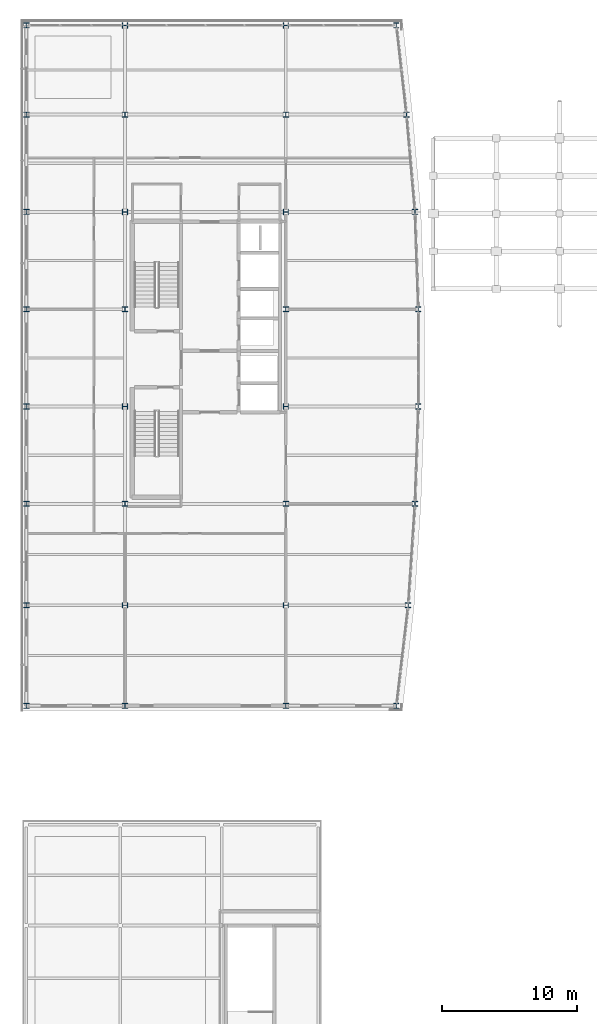
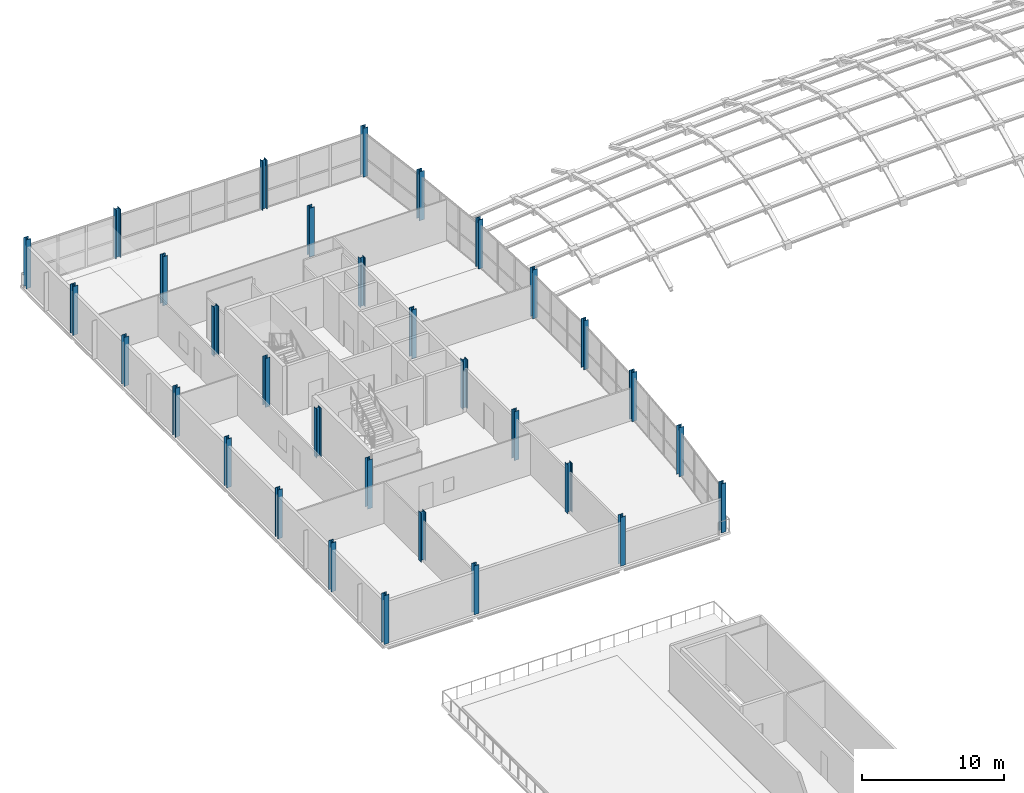
# One storey, part 1 of 36: 32 columns.
"""IFC4 building model written with IfcOpenShell, lengths in metres."""

import ifcopenshell
import ifcopenshell.guid

model = None  # the IFC model being written
_history = None  # IfcOwnerHistory: only IFC2X3 demands one
_inside = {}  # id of a spatial element -> (the spatial element, [elements in it])
_under = {}  # id of a project, library or spatial element -> (it, [spatial elements below it])
_declared = {}  # id of a project -> (the project, [libraries it declares])
_typed = {}  # id of a type object -> (the type object, [elements of that type])
_made_of = {}  # id of a material, layer set ... -> (it, [elements and type objects made of it])


def new_model(schema):
    """Start an empty IFC model of exactly this schema.

    Asked for "IFC4X3", IfcOpenShell would pick the latest addendum, in which some entities
    have other attributes; the version numbers below select the first issue.
    IFC2X3 requires an IfcOwnerHistory on every rooted entity: one is made here for all.
    """
    global model, _history
    if schema == "IFC4X3":
        model = ifcopenshell.file(schema_version=(4, 3, 0, 0))
    else:
        model = ifcopenshell.file(schema=schema)
    _inside.clear()
    _under.clear()
    _declared.clear()
    _typed.clear()
    _made_of.clear()
    _history = None
    if model.schema == "IFC2X3":
        org = make("IfcOrganization", Name="unknown")
        user = make(
            "IfcPersonAndOrganization",
            ThePerson=make("IfcPerson", FamilyName="unknown"),
            TheOrganization=org,
        )
        app = make(
            "IfcApplication",
            ApplicationDeveloper=org,
            Version="unknown",
            ApplicationFullName="unknown",
            ApplicationIdentifier="unknown",
        )
        _history = make(
            "IfcOwnerHistory",
            OwningUser=user,
            OwningApplication=app,
            ChangeAction="ADDED",
            CreationDate=0,
        )
    return model


def make(cls, **values):
    """One entity of the class cls with the attributes given. An attribute that is None is left unset."""
    return model.create_entity(
        cls, **{name: value for name, value in values.items() if value is not None}
    )


def rooted(cls, **values):
    """An entity with a GlobalId (a new one), such as an element, a storey or a relation."""
    return make(cls, GlobalId=ifcopenshell.guid.new(), OwnerHistory=_history, **values)


def si_unit(unit_type, name, prefix=None):
    """IfcSIUnit, for example si_unit("LENGTHUNIT", "METRE", prefix="MILLI")."""
    return make("IfcSIUnit", UnitType=unit_type, Prefix=prefix, Name=name)


def assignment(units):
    """IfcUnitAssignment: the units of a project."""
    return None if units is None else make("IfcUnitAssignment", Units=units)


def point(xyz):
    """IfcCartesianPoint."""
    return None if xyz is None else make("IfcCartesianPoint", Coordinates=xyz)


def direction(xyz):
    """IfcDirection."""
    return None if xyz is None else make("IfcDirection", DirectionRatios=xyz)


def frame(location, z_axis=None, x_axis=None):
    """IfcAxis2Placement3D, a coordinate frame: its origin and axes. An axis left out is left unset."""
    return make(
        "IfcAxis2Placement3D",
        Location=point(location),
        Axis=direction(z_axis),
        RefDirection=direction(x_axis),
    )


def frame_2d(location, x_axis=None):
    """IfcAxis2Placement2D, a coordinate frame in the plane: its origin and x axis."""
    return make(
        "IfcAxis2Placement2D", Location=point(location), RefDirection=direction(x_axis)
    )


def origin():
    """The frame at (0, 0, 0) with its axes left unset."""
    return frame((0.0, 0.0, 0.0))


def origin_2d():
    """The frame at (0, 0) in the plane with its x axis left unset."""
    return frame_2d((0.0, 0.0))


def place(relative_to, where):
    """IfcLocalPlacement: puts the frame where relative to a parent placement (None: the world)."""
    return make(
        "IfcLocalPlacement", PlacementRelTo=relative_to, RelativePlacement=where
    )


def context(
    kind, dimensions, precision=None, world=None, true_north=None, identifier=None
):
    """IfcGeometricRepresentationContext, for example the 3D "Model" context."""
    return make(
        "IfcGeometricRepresentationContext",
        ContextIdentifier=identifier,
        ContextType=kind,
        CoordinateSpaceDimension=dimensions,
        Precision=precision,
        WorldCoordinateSystem=world,
        TrueNorth=true_north,
    )


def subcontext(parent, identifier, kind, view, scale=None):
    """IfcGeometricRepresentationSubContext, for example "Body" below "Model"."""
    return make(
        "IfcGeometricRepresentationSubContext",
        ContextIdentifier=identifier,
        ContextType=kind,
        ParentContext=parent,
        TargetScale=scale,
        TargetView=view,
    )


def project(units=None, contexts=None):
    """IfcProject with its units and contexts."""
    return rooted(
        "IfcProject",
        Name="project",
        RepresentationContexts=contexts,
        UnitsInContext=assignment(units),
    )


def spatial(cls, under=None, at=None, **own):
    """A site, building, storey or space (cls), placed at a placement, below another one or the project."""
    s = rooted(cls, ObjectPlacement=at, **own)
    if under is not None:
        _under.setdefault(under.id(), (under, []))[1].append(s)
    return s


def profile(cls, at=None, kind="AREA", **sizes):
    """A parametric profile (cls). Its sizes go by their IFC names, for example OverallWidth=200.0."""
    return make(cls, ProfileType=kind, Position=at, **sizes)


def i_section(**sizes):
    """IfcIShapeProfileDef."""
    return profile("IfcIShapeProfileDef", **sizes)


def extrude(swept, where, along, depth):
    """IfcExtrudedAreaSolid: the profile swept, set in the frame where, extruded along a direction by depth."""
    return make(
        "IfcExtrudedAreaSolid",
        SweptArea=swept,
        Position=where,
        ExtrudedDirection=direction(along),
        Depth=depth,
    )


def shape(context_of_items, identifier, shape_type, items):
    """IfcShapeRepresentation: the items that make up one representation, for example the "Body"."""
    return make(
        "IfcShapeRepresentation",
        ContextOfItems=context_of_items,
        RepresentationIdentifier=identifier,
        RepresentationType=shape_type,
        Items=items,
    )


def material(Name=None, Category=None):
    """IfcMaterial."""
    return make("IfcMaterial", Name=Name, Category=Category)


def material_profile(
    of_material, cross_section, Name=None, Category=None, Priority=None
):
    """IfcMaterialProfile: a cross section and its material."""
    return make(
        "IfcMaterialProfile",
        Name=Name,
        Material=of_material,
        Profile=cross_section,
        Priority=Priority,
        Category=Category,
    )


def profile_set(profiles, Name=None, composite=None):
    """IfcMaterialProfileSet."""
    return make(
        "IfcMaterialProfileSet",
        Name=Name,
        MaterialProfiles=profiles,
        CompositeProfile=composite,
    )


def made_of(thing, what):
    """Note that an element or type object is made of a material, layer set ...; save() writes the relation."""
    if what is not None:
        _made_of.setdefault(what.id(), (what, []))[1].append(thing)
    return thing


def type_object(cls, material=None, **own):
    """A type object (cls), such as IfcWallType, which elements share."""
    return made_of(rooted(cls, **own), material)


def element(
    cls,
    number,
    at=None,
    inside=None,
    cuts=None,
    type_object=None,
    material=None,
    context=None,
    identifier="Body",
    shape_type=None,
    held_by="IfcProductDefinitionShape",
    body=None,
    shapes=None,
    **own,
):
    """One element of the class cls, such as IfcWall. Its Tag is "e" and its number.

    at: its placement. inside: the storey or other place that contains it. cuts: it is an
    opening in that element (IfcRelVoidsElement). A single representation is given by context,
    identifier, shape_type and body (its items); several are given by shapes. held_by: the class
    of the entity that holds the representations. save() writes the other relations.
    """
    e = rooted(cls, Tag="e%d" % number, ObjectPlacement=at, **own)
    if body is not None:
        shapes = [shape(context, identifier, shape_type, body)]
    if shapes is not None:
        e.Representation = make(held_by, Representations=shapes)
    if inside is not None:
        _inside.setdefault(inside.id(), (inside, []))[1].append(e)
    if cuts is not None:
        rooted(
            "IfcRelVoidsElement", RelatingBuildingElement=cuts, RelatedOpeningElement=e
        )
    if type_object is not None:
        _typed.setdefault(type_object.id(), (type_object, []))[1].append(e)
    return made_of(e, material)


def aggregate(whole, parts):
    """IfcRelAggregates: a whole, such as a stair, and the parts it consists of."""
    return rooted("IfcRelAggregates", RelatingObject=whole, RelatedObjects=parts)


def save(model, path):
    """Write the relations noted so far, then the file.

    IfcRelAggregates (storeys below a building ...), IfcRelContainedInSpatialStructure (elements
    in a storey), IfcRelDefinesByType, IfcRelAssociatesMaterial and IfcRelDeclares: one each for
    every whole, place, type object, material and project.
    """
    for whole, parts in _under.values():
        aggregate(whole, parts)
    for where, things in _inside.values():
        rooted(
            "IfcRelContainedInSpatialStructure",
            RelatedElements=things,
            RelatingStructure=where,
        )
    for kind, things in _typed.values():
        rooted("IfcRelDefinesByType", RelatedObjects=things, RelatingType=kind)
    for what, things in _made_of.values():
        rooted("IfcRelAssociatesMaterial", RelatedObjects=things, RelatingMaterial=what)
    for by, libraries in _declared.values():
        rooted("IfcRelDeclares", RelatingContext=by, RelatedDefinitions=libraries)
    model.write(path)


model = new_model("IFC4")

# Units and contexts
model_context = context("Model", 3, precision=1e-05, world=origin(), true_north=direction((0.0, 1.0)))
body_context = subcontext(model_context, "Body", "Model", "MODEL_VIEW")
ifc_project = project(units=[si_unit("LENGTHUNIT", "METRE"), si_unit("AREAUNIT", "SQUARE_METRE"), si_unit("VOLUMEUNIT", "CUBIC_METRE"), si_unit("PLANEANGLEUNIT", "RADIAN"), si_unit("MASSUNIT", "GRAM", prefix="KILO")], contexts=[model_context])

# Site, building, storey
site_placement = place(None, origin())
site = spatial("IfcSite", under=ifc_project, at=site_placement, CompositionType="ELEMENT")
building_placement = place(site_placement, origin())
building = spatial("IfcBuilding", under=site, at=building_placement, Name="Quillay Park Conservatory", CompositionType="ELEMENT")
storey_placement = place(building_placement, frame((0.0, 0.0, 18.300048828125)))
storey = spatial("IfcBuildingStorey", under=building, at=storey_placement, Name="L04", CompositionType="ELEMENT", Elevation=18.300048828125)

# Columns
ifc_material = material(Name="Steel ASTM A992 Grade 50", Category="steel")
ifc_material_profile = material_profile(ifc_material, i_section(OverallWidth=0.39501953125, OverallDepth=0.3798828125, WebThickness=0.018798828125, FlangeThickness=0.0302734375, FilletRadius=0.014892578125, at=origin_2d()), Name="W360x237")
ifc_profile_set = profile_set([ifc_material_profile], Name="Steel ASTM A992 Grade 50")
column_type = type_object("IfcColumnType", Name="COMPOSITE STEEL COLUMN W360 X237", PredefinedType="COLUMN", material=ifc_profile_set)
for number, where, z_axis, x_axis, name in (
    (1, (0.550048828125, 63.050048828125, 0.0), (0.0, 0.0, 1.0), (1.0, 0.0, 0.0), "L04 column COL-V4-L04-0-0"),
    (2, (7.85009765625, 63.050048828125, 0.0), (0.0, 0.0, 1.0), (1.0, 0.0, 0.0), "L04 column COL-V4-L04-0-1"),
    (3, (19.75, 63.050048828125, 0.0), (0.0, 0.0, 1.0), (1.0, 0.0, 0.0), "L04 column COL-V4-L04-0-2"),
    (4, (27.925048828125, 63.050048828125, 0.0), (0.0, 0.0, 1.0), (1.0, 0.0, 0.0), "L04 column COL-V4-L04-0-3"),
    (5, (0.550048828125, 70.5, 0.0), (0.0, 0.0, 1.0), (1.0, 0.0, 0.0), "L04 column COL-V4-L04-1-0"),
    (6, (7.85009765625, 70.5, 0.0), (0.0, 0.0, 1.0), (0.0, 1.0, 0.0), "L04 column COL-V4-L04-1-1"),
    (7, (19.75, 70.5, 0.0), (0.0, 0.0, 1.0), (0.0, 1.0, 0.0), "L04 column COL-V4-L04-1-2"),
    (8, (28.800048828125, 70.5, 0.0), (0.0, 0.0, 1.0), (1.0, 0.0, 0.0), "L04 column COL-V4-L04-1-3"),
    (9, (0.550048828125, 78.0, 0.0), (0.0, 0.0, 1.0), (1.0, 0.0, 0.0), "L04 column COL-V4-L04-2-0"),
    (10, (7.85009765625, 78.0, 0.0), (0.0, 0.0, 1.0), (1.0, 0.0, 0.0), "L04 column COL-V4-L04-2-1"),
    (11, (19.75, 78.0, 0.0), (0.0, 0.0, 1.0), (1.0, 0.0, 0.0), "L04 column COL-V4-L04-2-2"),
    (12, (29.300048828125, 78.0, 0.0), (0.0, 0.0, 1.0), (1.0, 0.0, 0.0), "L04 column COL-V4-L04-2-3"),
    (13, (0.550048828125, 85.199951171875, 0.0), (0.0, 0.0, 1.0), (1.0, 0.0, 0.0), "L04 column COL-V4-L04-3-0"),
    (14, (7.85009765625, 85.199951171875, 0.0), (0.0, 0.0, 1.0), (0.0, 1.0, 0.0), "L04 column COL-V4-L04-3-1"),
    (15, (19.75, 85.199951171875, 0.0), (0.0, 0.0, 1.0), (0.0, 1.0, 0.0), "L04 column COL-V4-L04-3-2"),
    (16, (29.550048828125, 85.199951171875, 0.0), (0.0, 0.0, 1.0), (1.0, 0.0, 0.0), "L04 column COL-V4-L04-3-3"),
    (17, (0.550048828125, 92.39990234375, 0.0), (0.0, 0.0, 1.0), (1.0, 0.0, 0.0), "L04 column COL-V4-L04-4-0"),
    (18, (7.85009765625, 92.39990234375, 0.0), (0.0, 0.0, 1.0), (1.0, 0.0, 0.0), "L04 column COL-V4-L04-4-1"),
    (19, (19.75, 92.39990234375, 0.0), (0.0, 0.0, 1.0), (1.0, 0.0, 0.0), "L04 column COL-V4-L04-4-2"),
    (20, (29.550048828125, 92.39990234375, 0.0), (0.0, 0.0, 1.0), (1.0, 0.0, 0.0), "L04 column COL-V4-L04-4-3"),
    (21, (0.550048828125, 99.60009765625, 0.0), (0.0, 0.0, 1.0), (1.0, 0.0, 0.0), "L04 column COL-V4-L04-5-0"),
    (22, (7.85009765625, 99.60009765625, 0.0), (0.0, 0.0, 1.0), (0.0, 1.0, 0.0), "L04 column COL-V4-L04-5-1"),
    (23, (19.75, 99.60009765625, 0.0), (0.0, 0.0, 1.0), (0.0, 1.0, 0.0), "L04 column COL-V4-L04-5-2"),
    (24, (29.300048828125, 99.60009765625, 0.0), (0.0, 0.0, 1.0), (1.0, 0.0, 0.0), "L04 column COL-V4-L04-5-3"),
    (25, (0.550048828125, 106.800048828125, 0.0), (0.0, 0.0, 1.0), (1.0, 0.0, 0.0), "L04 column COL-V4-L04-6-0"),
    (26, (7.85009765625, 106.800048828125, 0.0), (0.0, 0.0, 1.0), (1.0, 0.0, 0.0), "L04 column COL-V4-L04-6-1"),
    (27, (19.75, 106.800048828125, 0.0), (0.0, 0.0, 1.0), (1.0, 0.0, 0.0), "L04 column COL-V4-L04-6-2"),
    (28, (28.675048828125, 106.800048828125, 0.0), (0.0, 0.0, 1.0), (1.0, 0.0, 0.0), "L04 column COL-V4-L04-6-3"),
    (29, (0.550048828125, 113.39990234375, 0.0), (0.0, 0.0, 1.0), (1.0, 0.0, 0.0), "L04 column COL-V4-L04-7-0"),
    (30, (7.85009765625, 113.39990234375, 0.0), (0.0, 0.0, 1.0), (0.0, 1.0, 0.0), "L04 column COL-V4-L04-7-1"),
    (31, (19.75, 113.39990234375, 0.0), (0.0, 0.0, 1.0), (0.0, 1.0, 0.0), "L04 column COL-V4-L04-7-2"),
    (32, (27.925048828125, 113.39990234375, 0.0), (0.0, 0.0, 1.0), (1.0, 0.0, 0.0), "L04 column COL-V4-L04-7-3"),
):
    element("IfcColumn", number, at=place(storey_placement, frame(where, z_axis=z_axis, x_axis=x_axis)), inside=storey, type_object=column_type, Name=name, PredefinedType="COLUMN", context=body_context, shape_type="SweptSolid", body=[
        extrude(i_section(OverallWidth=0.39501953125, OverallDepth=0.3798828125, WebThickness=0.018798828125, FlangeThickness=0.0302734375, FilletRadius=0.014892578125, at=origin_2d()), origin(), (0.0, 0.0, 1.0), 4.199951171875),
    ])

save(model, "model.ifc")
